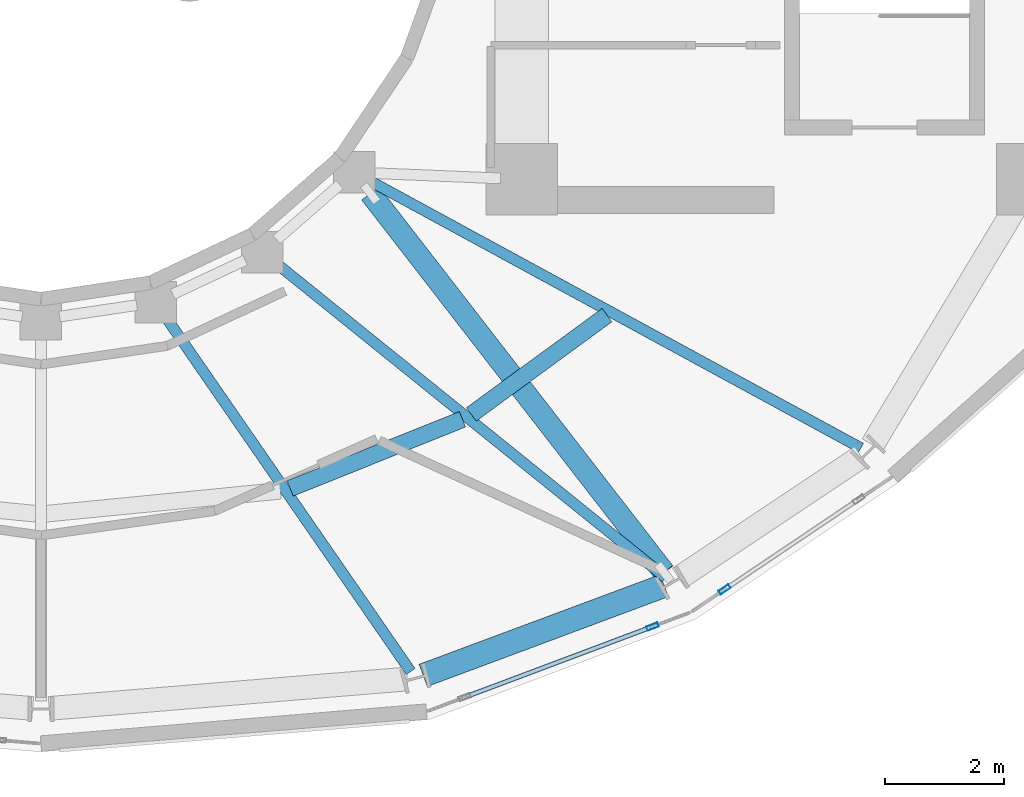
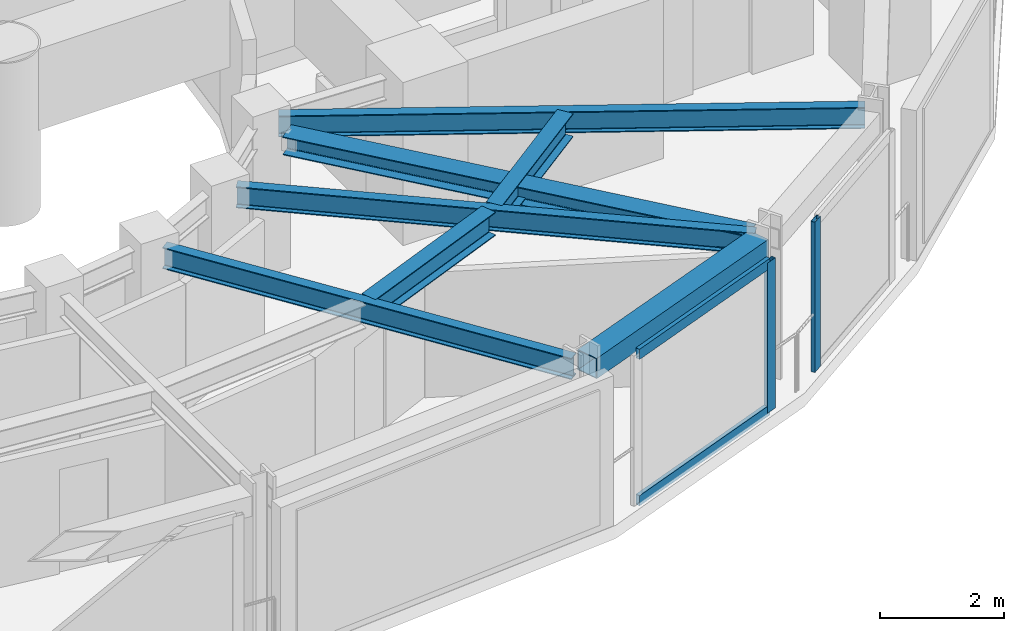
# One storey, part 6 of 17: 6 beams, 5 members, 2 elements without a shape of their own.
"""IFC4 building model written with IfcOpenShell, lengths in metres."""

from ifc_helpers import new_model, si_unit, direction, frame, origin, origin_2d, place, context, subcontext, project, spatial, hollow_rectangle, i_section, extrude, material, layer, layer_set, material_profile, profile_set, type_object, element, aggregate, save


model = new_model("IFC4")

# Units and contexts
model_context = context("Model", 3, precision=1e-05, world=origin(), true_north=direction((0.0, 1.0)))
body_context = subcontext(model_context, "Body", "Model", "MODEL_VIEW")
ifc_project = project(units=[si_unit("LENGTHUNIT", "METRE"), si_unit("AREAUNIT", "SQUARE_METRE"), si_unit("VOLUMEUNIT", "CUBIC_METRE"), si_unit("PLANEANGLEUNIT", "RADIAN"), si_unit("MASSUNIT", "GRAM", prefix="KILO")], contexts=[model_context])

# Site, building, storey
site_placement = place(None, origin())
site = spatial("IfcSite", under=ifc_project, at=site_placement, CompositionType="ELEMENT")
building_placement = place(site_placement, origin())
building = spatial("IfcBuilding", under=site, at=building_placement, Name="Solvane Sanctuary Tower", CompositionType="ELEMENT")
storey_placement = place(building_placement, frame((0.0, 0.0, 276.39990234375)))
storey = spatial("IfcBuildingStorey", under=building, at=storey_placement, Name="L84", CompositionType="ELEMENT", Elevation=276.39990234375)

# Beams
ifc_material_1 = material(Name="Steel ASTM A913 Grade 65", Category="steel")
ifc_material_profile_1 = material_profile(ifc_material_1, hollow_rectangle(XDim=0.39990234375, YDim=0.39990234375, WallThickness=0.01611328125, at=origin_2d()), Name="HSS400X400X16")
ifc_profile_set_1 = profile_set([ifc_material_profile_1], Name="Steel ASTM A913 Grade 65")
beam_type_1 = type_object("IfcBeamType", Name="Beam B-CROWN-CAP HSS400X400X16", PredefinedType="T_BEAM", material=ifc_profile_set_1)
beam_1_placement = place(storey_placement, frame((38.439697265625, 8.54296875, 2.748046875), z_axis=(0.937063322724, 0.349159460998, 0.0), x_axis=(-0.349159460998, 0.937063322724, 0.0)))
element("IfcBeam", 1, at=beam_1_placement, inside=storey, type_object=beam_type_1, Name="L84 Perimeter Spandrel Beam TC12-TC13", PredefinedType="T_BEAM", context=body_context, shape_type="SweptSolid", body=[
    extrude(hollow_rectangle(XDim=0.39990234375, YDim=0.39990234375, WallThickness=0.01611328125, at=origin_2d()), origin(), (0.0, 0.0, 1.0), 4.333740234375),
])
ifc_material_2 = material(Name="Steel ASTM A992 Grade 50", Category="steel")
ifc_material_profile_2 = material_profile(ifc_material_2, i_section(OverallWidth=0.180908203125, OverallDepth=0.4169921875, WebThickness=0.010986328125, FlangeThickness=0.018310546875, FilletRadius=0.012939453125, at=origin_2d()), Name="W16X57")
ifc_profile_set_2 = profile_set([ifc_material_profile_2], Name="Steel ASTM A992 Grade 50")
beam_type_2 = type_object("IfcBeamType", Name="Beam B-ROOF-BM W16X57", PredefinedType="BEAM", material=ifc_profile_set_2)
beam_2_placement = place(storey_placement, frame((34.090087890625, 14.597900390625, 2.739501953125), z_axis=(0.568538355694, -0.822656755947, 0.0), x_axis=(0.822656755947, 0.568538355694, 0.0)))
element("IfcBeam", 2, at=beam_2_placement, inside=storey, type_object=beam_type_2, Name="L84 Radial Composite Floor Beam 12", PredefinedType="BEAM", context=body_context, shape_type="SweptSolid", body=[
    extrude(i_section(OverallWidth=0.180908203125, OverallDepth=0.4169921875, WebThickness=0.010986328125, FlangeThickness=0.018310546875, FilletRadius=0.012939453125, at=origin_2d()), origin(), (0.0, 0.0, 1.0), 7.279541015625),
])
beam_3_placement = place(storey_placement, frame((35.947998046875, 15.49755859375, 2.739501953125), z_axis=(0.778293673561, -0.627900436132, 0.0), x_axis=(0.627900436132, 0.778293673561, 0.0)))
element("IfcBeam", 3, at=beam_3_placement, inside=storey, type_object=beam_type_2, Name="L84 Radial Composite Floor Beam 13", PredefinedType="BEAM", context=body_context, shape_type="SweptSolid", body=[
    extrude(i_section(OverallWidth=0.180908203125, OverallDepth=0.4169921875, WebThickness=0.010986328125, FlangeThickness=0.018310546875, FilletRadius=0.012939453125, at=origin_2d()), origin(), (0.0, 0.0, 1.0), 8.447998046875),
])
beam_4_placement = place(storey_placement, frame((37.52099609375, 16.884033203125, 2.739501953125), z_axis=(0.878434757059, -0.477862299821, 0.0), x_axis=(0.477862299821, 0.878434757059, 0.0)))
element("IfcBeam", 4, at=beam_4_placement, inside=storey, type_object=beam_type_2, Name="L84 Radial Composite Floor Beam 14", PredefinedType="BEAM", context=body_context, shape_type="SweptSolid", body=[
    extrude(i_section(OverallWidth=0.180908203125, OverallDepth=0.4169921875, WebThickness=0.010986328125, FlangeThickness=0.018310546875, FilletRadius=0.012939453125, at=origin_2d()), origin(), (0.0, 0.0, 1.0), 9.4384765625),
])
ifc_material_profile_3 = material_profile(ifc_material_2, i_section(OverallWidth=0.280029296875, OverallDepth=0.462890625, WebThickness=0.0107421875, FlangeThickness=0.017333984375, FilletRadius=0.013916015625, at=origin_2d()), Name="W18X76")
ifc_profile_set_3 = profile_set([ifc_material_profile_3], Name="Steel ASTM A992 Grade 50")
beam_type_3 = type_object("IfcBeamType", Name="Beam B-SEC-JOIST W18X76", PredefinedType="JOIST", material=ifc_profile_set_3)
beam_5_placement = place(storey_placement, frame((36.198974609375, 11.693115234375, 2.716552734375), z_axis=(0.928115538523, 0.372292287258, 0.0), x_axis=(-0.372292287258, 0.928115538523, 0.0)))
element("IfcBeam", 5, at=beam_5_placement, inside=storey, type_object=beam_type_3, Name="L84 Secondary Circumferential Joist 12-13", PredefinedType="JOIST", context=body_context, shape_type="SweptSolid", body=[
    extrude(i_section(OverallWidth=0.280029296875, OverallDepth=0.462890625, WebThickness=0.0107421875, FlangeThickness=0.017333984375, FilletRadius=0.013916015625, at=origin_2d()), origin(), (0.0, 0.0, 1.0), 3.12744140625),
])
beam_6_placement = place(storey_placement, frame((39.25, 12.939697265625, 2.716552734375), z_axis=(0.807111477051, 0.590399071486, 0.0), x_axis=(-0.590399071486, 0.807111477051, 0.0)))
element("IfcBeam", 6, at=beam_6_placement, inside=storey, type_object=beam_type_3, Name="L84 Secondary Circumferential Joist 13-14", PredefinedType="JOIST", context=body_context, shape_type="SweptSolid", body=[
    extrude(i_section(OverallWidth=0.280029296875, OverallDepth=0.462890625, WebThickness=0.0107421875, FlangeThickness=0.017333984375, FilletRadius=0.013916015625, at=origin_2d()), origin(), (0.0, 0.0, 1.0), 2.832275390625),
])

# Member
ifc_material_profile_4 = material_profile(ifc_material_2, i_section(OverallWidth=0.368896484375, OverallDepth=0.35595703125, WebThickness=0.01123046875, FlangeThickness=0.01806640625, FilletRadius=0.02490234375, at=origin_2d()), Name="W14X90")
ifc_profile_set_4 = profile_set([ifc_material_profile_4], Name="Steel ASTM A992 Grade 50")
member_type_1 = type_object("IfcMemberType", Name="Member M-CROWN-TIE W14X90", PredefinedType="CHORD", material=ifc_profile_set_4)
member_1_placement = place(storey_placement, frame((37.55224609375, 16.66015625, 2.541015625), z_axis=(0.612365021511, -0.790210815517, 0.023998905581), x_axis=(0.790438473821, 0.612541442764, 0.0)))
element("IfcMember", 7, at=member_1_placement, inside=storey, type_object=member_type_1, Name="L84 Crown Bracing Tie 14", PredefinedType="CHORD", context=body_context, shape_type="SweptSolid", body=[
    extrude(i_section(OverallWidth=0.368896484375, OverallDepth=0.35595703125, WebThickness=0.01123046875, FlangeThickness=0.01806640625, FilletRadius=0.02490234375, at=origin_2d()), origin(), (0.0, 0.0, 1.0), 8.077392578125),
])

# Curtain wall, member
ifc_material_3 = material(Name="Anodised Aluminium 6063-T6", Category="aluminium")
ifc_layer = layer(ifc_material_3, 0.219970703125, Name="Anodised Aluminium 6063-T6")
ifc_layer_set = layer_set([ifc_layer], Name="Anodised Aluminium 6063-T6")
curtain_wall_type = type_object("IfcCurtainWallType", Name="Curtain Wall CW-CROWN", PredefinedType="NOTDEFINED", material=ifc_layer_set)
curtain_wall_1_placement = place(storey_placement, origin())
curtain_wall_1 = element("IfcCurtainWall", 8, at=curtain_wall_1_placement, inside=storey, type_object=curtain_wall_type, Name="L84 Crown Fritted Lantern Curtain Wall 19", PredefinedType="NOTDEFINED")
ifc_material_profile_5 = material_profile(ifc_material_3, hollow_rectangle(XDim=0.074951171875, YDim=0.199951171875, WallThickness=0.00390625, at=origin_2d()), Name="ALU200X75X4")
ifc_profile_set_5 = profile_set([ifc_material_profile_5], Name="Anodised Aluminium 6063-T6")
member_type_2 = type_object("IfcMemberType", Name="Member M-CW-MUL-1 ALU200X75X4", PredefinedType="MULLION", material=ifc_profile_set_5)
member_2_placement = place(storey_placement, frame((42.303466796875, 9.365478515625, 0.0), z_axis=(0.0, 0.0, 1.0), x_axis=(-0.351811483483, 0.936070873433, 0.0)))
member_2 = element("IfcMember", 9, at=member_2_placement, type_object=member_type_2, Name="CW-CROWN mullion 2", PredefinedType="MULLION", context=body_context, shape_type="SweptSolid", body=[
    extrude(hollow_rectangle(XDim=0.074951171875, YDim=0.199951171875, WallThickness=0.00390625, at=origin_2d()), origin(), (0.0, 0.0, 1.0), 2.9501953125),
])

curtain_wall_2_placement = place(storey_placement, origin())
curtain_wall_2 = element("IfcCurtainWall", 10, at=curtain_wall_2_placement, inside=storey, type_object=curtain_wall_type, Name="L84 Crown Fritted Lantern Curtain Wall 20", PredefinedType="NOTDEFINED")
member_3_placement = place(storey_placement, frame((43.517578125, 9.990966796875, 0.0), z_axis=(0.0, 0.0, 1.0), x_axis=(-0.557937331389, 0.829883084682, 0.0)))
member_3 = element("IfcMember", 11, at=member_3_placement, type_object=member_type_2, Name="CW-CROWN mullion 1", PredefinedType="MULLION", context=body_context, shape_type="SweptSolid", body=[
    extrude(hollow_rectangle(XDim=0.074951171875, YDim=0.199951171875, WallThickness=0.00390625, at=origin_2d()), origin(), (0.0, 0.0, 1.0), 2.9501953125),
])
aggregate(curtain_wall_2, [member_3])

# Member
ifc_material_profile_6 = material_profile(ifc_material_3, hollow_rectangle(XDim=0.074951171875, YDim=0.199951171875, WallThickness=0.00390625, at=origin_2d()), Name="ALU200X75X4")
ifc_profile_set_6 = profile_set([ifc_material_profile_6], Name="Anodised Aluminium 6063-T6")
member_type_3 = type_object("IfcMemberType", Name="Member M-CW-TRN-2 ALU200X75X4", PredefinedType="USERDEFINED", material=ifc_profile_set_6)
member_4_placement = place(storey_placement, frame((39.173828125, 8.189208984375, 0.03759765625), z_axis=(0.936064869235, 0.351827458543, 0.0), x_axis=(-0.351827458543, 0.936064869235, 0.0)))
member_4 = element("IfcMember", 12, at=member_4_placement, type_object=member_type_3, Name="CW-CROWN transom 1.1", ObjectType="TRANSOM", PredefinedType="USERDEFINED", context=body_context, shape_type="SweptSolid", body=[
    extrude(hollow_rectangle(XDim=0.074951171875, YDim=0.199951171875, WallThickness=0.00390625, at=origin_2d()), origin(), (0.0, 0.0, 1.0), 3.305908203125),
])

member_5_placement = place(storey_placement, frame((39.173828125, 8.189208984375, 2.91259765625), z_axis=(0.936064869235, 0.351827458543, 0.0), x_axis=(-0.351827458543, 0.936064869235, 0.0)))
member_5 = element("IfcMember", 13, at=member_5_placement, type_object=member_type_3, Name="CW-CROWN transom 1.2", ObjectType="TRANSOM", PredefinedType="USERDEFINED", context=body_context, shape_type="SweptSolid", body=[
    extrude(hollow_rectangle(XDim=0.074951171875, YDim=0.199951171875, WallThickness=0.00390625, at=origin_2d()), origin(), (0.0, 0.0, 1.0), 3.305908203125),
])

aggregate(curtain_wall_1, [member_2, member_4, member_5])

save(model, "model.ifc")
